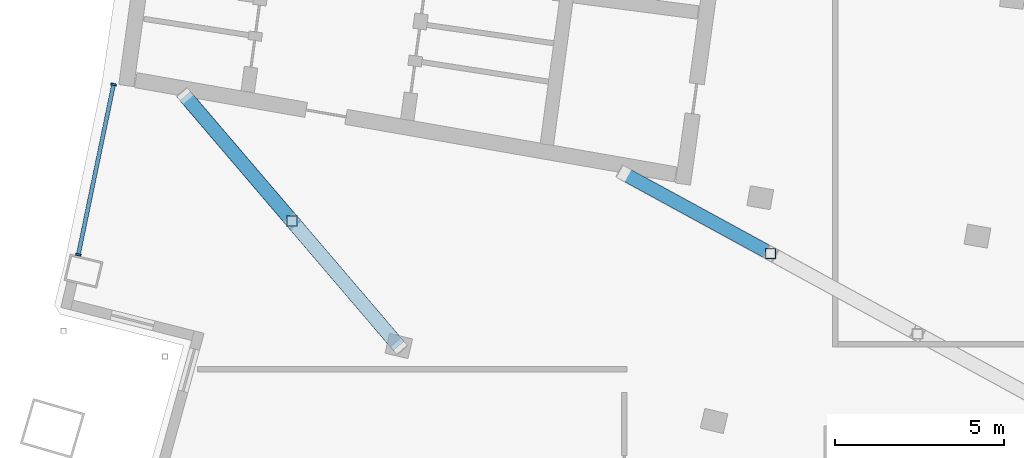
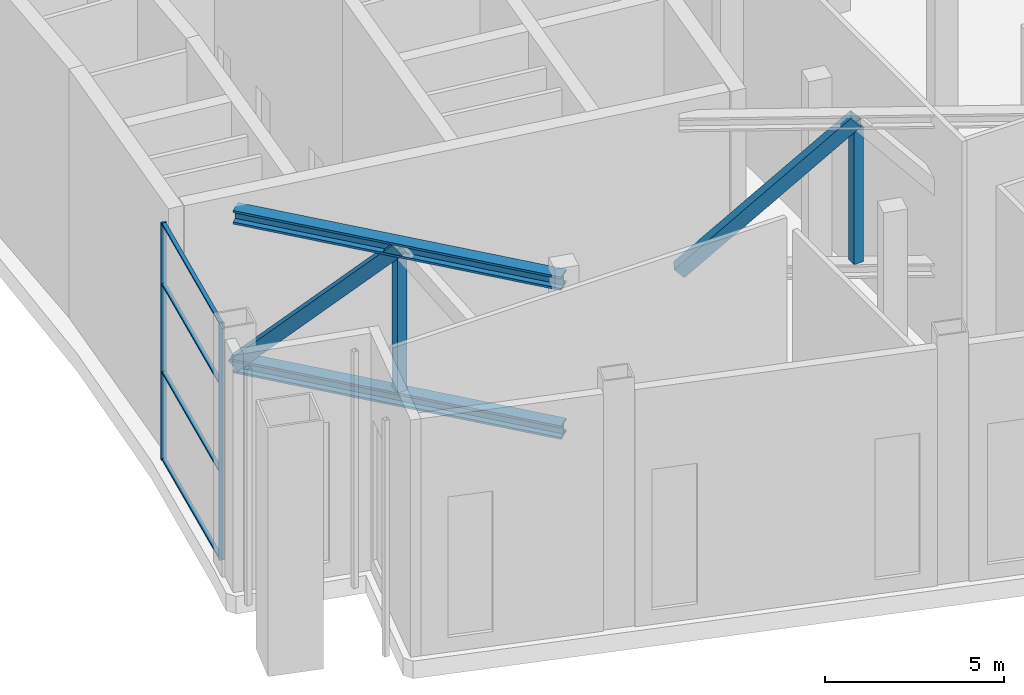
# One storey, part 8 of 25: 12 members, 1 element without a shape of its own.
"""IFC4 building model written with IfcOpenShell, lengths in metres."""

from ifc_helpers import new_model, si_unit, direction, frame, origin, origin_2d, place, context, subcontext, project, spatial, rectangle, hollow_rectangle, i_section, extrude, material, layer, layer_set, material_profile, profile_set, type_object, element, aggregate, save


model = new_model("IFC4")

# Units and contexts
model_context = context("Model", 3, precision=1e-05, world=origin(), true_north=direction((0.0, 1.0)))
body_context = subcontext(model_context, "Body", "Model", "MODEL_VIEW")
ifc_project = project(units=[si_unit("LENGTHUNIT", "METRE"), si_unit("AREAUNIT", "SQUARE_METRE"), si_unit("VOLUMEUNIT", "CUBIC_METRE"), si_unit("PLANEANGLEUNIT", "RADIAN"), si_unit("MASSUNIT", "GRAM", prefix="KILO")], contexts=[model_context])

# Site, building, storey
site_placement = place(None, origin())
site = spatial("IfcSite", under=ifc_project, at=site_placement, CompositionType="ELEMENT")
building_placement = place(site_placement, origin())
building = spatial("IfcBuilding", under=site, at=building_placement, Name="Alderwake Tower", CompositionType="ELEMENT")
storey_placement = place(building_placement, frame((0.0, 0.0, 296.0)))
storey = spatial("IfcBuildingStorey", under=building, at=storey_placement, Name="L73", CompositionType="ELEMENT", Elevation=296.0)

# Curtain wall, members
ifc_material_1 = material(Name="Bronze tinted glass in aluminium frame", Category="aluminium")
ifc_layer = layer(ifc_material_1, 0.199951171875)
ifc_layer_set = layer_set([ifc_layer], Name="Curtain wall CW4 damper floor viewing glazing")
curtain_wall_type = type_object("IfcCurtainWallType", Name="Curtain wall CW4 damper floor viewing glazing", PredefinedType="NOTDEFINED", material=ifc_layer_set)
curtain_wall_placement = place(storey_placement, origin())
curtain_wall = element("IfcCurtainWall", 1, at=curtain_wall_placement, inside=storey, type_object=curtain_wall_type, Name="Curtain wall 10", PredefinedType="NOTDEFINED")
ifc_material_2 = material(Name="Aluminium bronze anodised", Category="aluminium")
ifc_material_profile_1 = material_profile(ifc_material_2, rectangle(XDim=0.159912109375, YDim=0.06005859375, at=origin_2d()), Name="Mullion MUD 60x160")
ifc_profile_set_1 = profile_set([ifc_material_profile_1], Name="Aluminium bronze anodised")
member_type_1 = type_object("IfcMemberType", Name="Mullion MUD 60x160", PredefinedType="MULLION", material=ifc_profile_set_1)
member_1_placement = place(storey_placement, frame((14.8720703125, 44.19384765625, 0.0), z_axis=(0.0, 0.0, 1.0), x_axis=(0.979228898997, -0.202757893481, 0.0)))
member_1 = element("IfcMember", 2, at=member_1_placement, type_object=member_type_1, Name="CW.10 mullion 1", PredefinedType="MULLION", context=body_context, shape_type="SweptSolid", body=[
    extrude(rectangle(XDim=0.159912109375, YDim=0.06005859375, at=origin_2d()), origin(), (0.0, 0.0, 1.0), 8.10009765625),
])
member_2_placement = place(storey_placement, frame((13.82763671875, 39.149658203125, 0.0), z_axis=(0.0, 0.0, 1.0), x_axis=(0.979228898997, -0.202757893481, 0.0)))
member_2 = element("IfcMember", 3, at=member_2_placement, type_object=member_type_1, Name="CW.10 mullion 2", PredefinedType="MULLION", context=body_context, shape_type="SweptSolid", body=[
    extrude(rectangle(XDim=0.159912109375, YDim=0.06005859375, at=origin_2d()), origin(), (0.0, 0.0, 1.0), 8.10009765625),
])

# Members
ifc_material_3 = material(Name="Steel ASTM A992 Grade 50", Category="steel")
ifc_material_profile_2 = material_profile(ifc_material_3, i_section(OverallWidth=0.42138671875, OverallDepth=0.464599609375, WebThickness=0.044921875, FlangeThickness=0.072265625, at=origin_2d()), Name="W14X398")
ifc_profile_set_2 = profile_set([ifc_material_profile_2], Name="Steel ASTM A992 Grade 50")
member_type_2 = type_object("IfcMemberType", Name="Outrigger truss chord W14X398", PredefinedType="CHORD", material=ifc_profile_set_2)
for number, where, z_axis, x_axis, name in (
    (4, (16.99560546875, 43.850341796875, 7.86767578125), (0.649500341589, -0.760361299828, 0.0), (0.760361299828, 0.649500341589, 0.0), "Outrigger truss chord DT73SR.T"),
    (5, (16.99560546875, 43.850341796875, 2.7822265625), (0.649500341589, -0.760361299828, 0.0), (0.760361299828, 0.649500341589, 0.0), "Outrigger truss chord DT73SR.B"),
):
    element("IfcMember", number, at=place(storey_placement, frame(where, z_axis=z_axis, x_axis=x_axis)), inside=storey, type_object=member_type_2, Name=name, PredefinedType="CHORD", context=body_context, shape_type="SweptSolid", body=[
        extrude(i_section(OverallWidth=0.42138671875, OverallDepth=0.464599609375, WebThickness=0.044921875, FlangeThickness=0.072265625, at=origin_2d()), origin(), (0.0, 0.0, 1.0), 9.740478515625),
    ])
ifc_material_4 = material(Name="Steel ASTM A500 Grade C", Category="steel")
ifc_material_profile_3 = material_profile(ifc_material_4, hollow_rectangle(XDim=0.406494140625, YDim=0.406494140625, WallThickness=0.014892578125, at=origin_2d()), Name="HSS16X16X5/8")
ifc_profile_set_3 = profile_set([ifc_material_profile_3], Name="Steel ASTM A500 Grade C")
member_type_3 = type_object("IfcMemberType", Name="Outrigger truss diagonal HSS16X16X5/8", PredefinedType="BRACE", material=ifc_profile_set_3)
member_3_placement = place(storey_placement, frame((16.99560546875, 43.850341796875, 2.7822265625), z_axis=(0.449218413623, -0.52591424034, 0.722230592449), x_axis=(0.760373678193, 0.649485850124, 0.0)))
element("IfcMember", 6, at=member_3_placement, inside=storey, type_object=member_type_3, Name="Outrigger truss diagonal DT73SR.D1", PredefinedType="BRACE", context=body_context, shape_type="SweptSolid", body=[
    extrude(hollow_rectangle(XDim=0.406494140625, YDim=0.406494140625, WallThickness=0.014892578125, at=origin_2d()), origin(), (0.0, 0.0, 1.0), 7.041259765625),
])
member_4_placement = place(storey_placement, frame((29.993896484375, 41.552001953125, 2.7822265625), z_axis=(0.61244920085, -0.334135114632, 0.716421455254), x_axis=(0.478931570969, 0.877852237184, 0.0)))
element("IfcMember", 7, at=member_4_placement, inside=storey, type_object=member_type_3, Name="Outrigger truss diagonal DT73SF.D1", PredefinedType="BRACE", context=body_context, shape_type="SweptSolid", body=[
    extrude(hollow_rectangle(XDim=0.406494140625, YDim=0.406494140625, WallThickness=0.014892578125, at=origin_2d()), origin(), (0.0, 0.0, 1.0), 7.098388671875),
])
ifc_material_5 = material(Name="Steel ASTM A500 Grade C", Category="steel")
ifc_material_profile_4 = material_profile(ifc_material_5, hollow_rectangle(XDim=0.3046875, YDim=0.3046875, WallThickness=0.01171875, at=origin_2d()), Name="HSS12X12X1/2")
ifc_profile_set_4 = profile_set([ifc_material_profile_4], Name="Steel ASTM A500 Grade C")
member_type_4 = type_object("IfcMemberType", Name="Outrigger truss post HSS12X12X1/2", PredefinedType="POST", material=ifc_profile_set_4)
for number, where, z_axis, x_axis, name in (
    (8, (20.15869140625, 40.147216796875, 3.0146484375), (0.0, 0.0, 1.0), (1.0, 0.0, 0.0), "Outrigger truss post DT73SR.P1"),
    (9, (34.34130859375, 39.18017578125, 3.0146484375), (0.0, 0.0, 1.0), (1.0, 0.0, 0.0), "Outrigger truss post DT73SF.P1"),
):
    element("IfcMember", number, at=place(storey_placement, frame(where, z_axis=z_axis, x_axis=x_axis)), inside=storey, type_object=member_type_4, Name=name, PredefinedType="POST", context=body_context, shape_type="SweptSolid", body=[
        extrude(hollow_rectangle(XDim=0.3046875, YDim=0.3046875, WallThickness=0.01171875, at=origin_2d()), origin(), (0.0, 0.0, 1.0), 4.620849609375),
    ])

# Member
ifc_material_6 = material(Name="Aluminium bronze anodised", Category="aluminium")
ifc_material_profile_5 = material_profile(ifc_material_6, rectangle(XDim=0.1201171875, YDim=0.06005859375, at=origin_2d()), Name="Transom TRD 60x120")
ifc_profile_set_5 = profile_set([ifc_material_profile_5], Name="Aluminium bronze anodised")
member_type_5 = type_object("IfcMemberType", Name="Transom TRD 60x120", PredefinedType="USERDEFINED", material=ifc_profile_set_5)
member_5_placement = place(storey_placement, frame((14.865966796875, 44.16455078125, 0.030029296875), z_axis=(-0.202751488355, -0.979230225213, 0.0), x_axis=(0.979230225213, -0.202751488355, 0.0)))
member_5 = element("IfcMember", 10, at=member_5_placement, type_object=member_type_5, Name="CW.10 transom 1.1", ObjectType="TRANSOM", PredefinedType="USERDEFINED", context=body_context, shape_type="SweptSolid", body=[
    extrude(rectangle(XDim=0.1201171875, YDim=0.06005859375, at=origin_2d()), origin(), (0.0, 0.0, 1.0), 5.091064453125),
])

member_6_placement = place(storey_placement, frame((14.865966796875, 44.16455078125, 3.0), z_axis=(-0.202751488355, -0.979230225213, 0.0), x_axis=(0.979230225213, -0.202751488355, 0.0)))
member_6 = element("IfcMember", 11, at=member_6_placement, type_object=member_type_5, Name="CW.10 transom 1.2", ObjectType="TRANSOM", PredefinedType="USERDEFINED", context=body_context, shape_type="SweptSolid", body=[
    extrude(rectangle(XDim=0.1201171875, YDim=0.06005859375, at=origin_2d()), origin(), (0.0, 0.0, 1.0), 5.091064453125),
])

member_7_placement = place(storey_placement, frame((14.865966796875, 44.16455078125, 6.0), z_axis=(-0.202751488355, -0.979230225213, 0.0), x_axis=(0.979230225213, -0.202751488355, 0.0)))
member_7 = element("IfcMember", 12, at=member_7_placement, type_object=member_type_5, Name="CW.10 transom 1.3", ObjectType="TRANSOM", PredefinedType="USERDEFINED", context=body_context, shape_type="SweptSolid", body=[
    extrude(rectangle(XDim=0.1201171875, YDim=0.06005859375, at=origin_2d()), origin(), (0.0, 0.0, 1.0), 5.091064453125),
])

member_8_placement = place(storey_placement, frame((14.865966796875, 44.16455078125, 8.070068359375), z_axis=(-0.202751488355, -0.979230225213, 0.0), x_axis=(0.979230225213, -0.202751488355, 0.0)))
member_8 = element("IfcMember", 13, at=member_8_placement, type_object=member_type_5, Name="CW.10 transom 1.4", ObjectType="TRANSOM", PredefinedType="USERDEFINED", context=body_context, shape_type="SweptSolid", body=[
    extrude(rectangle(XDim=0.1201171875, YDim=0.06005859375, at=origin_2d()), origin(), (0.0, 0.0, 1.0), 5.091064453125),
])

aggregate(curtain_wall, [member_1, member_2, member_5, member_6, member_7, member_8])

save(model, "model.ifc")
